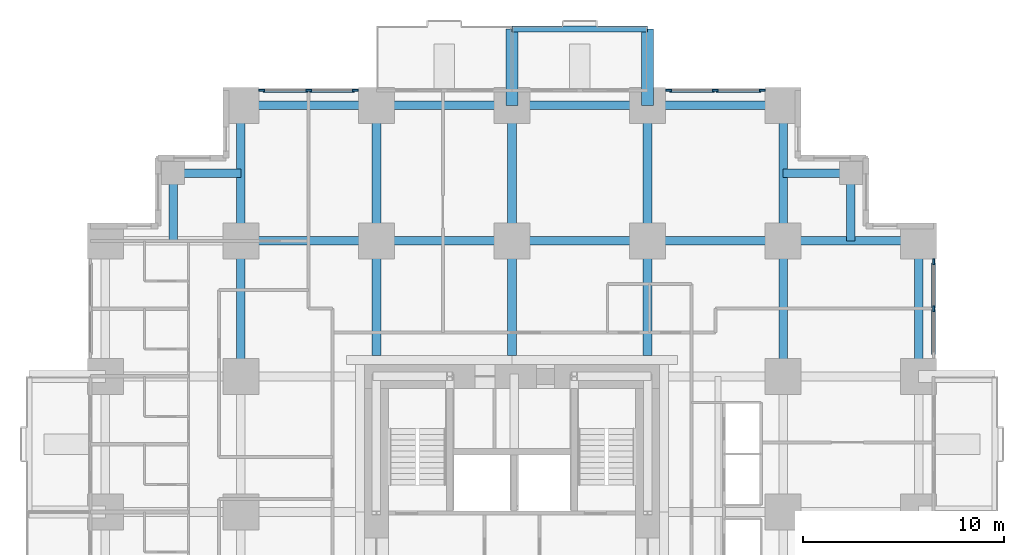
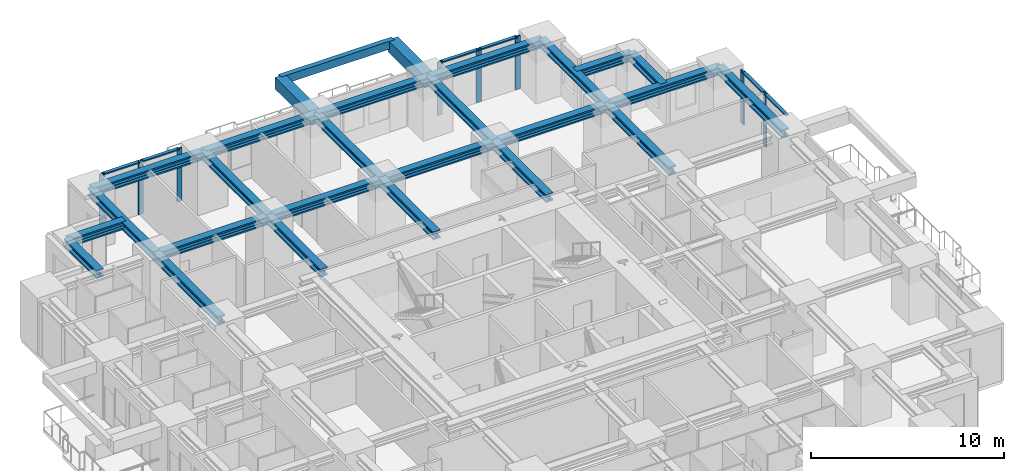
# One storey, part 4 of 13: 27 beams, 14 members, 3 elements without a shape of their own.
"""IFC4 building model written with IfcOpenShell, lengths in metres."""

import ifcopenshell
import ifcopenshell.guid

model = None  # the IFC model being written
_history = None  # IfcOwnerHistory: only IFC2X3 demands one
_inside = {}  # id of a spatial element -> (the spatial element, [elements in it])
_under = {}  # id of a project, library or spatial element -> (it, [spatial elements below it])
_declared = {}  # id of a project -> (the project, [libraries it declares])
_typed = {}  # id of a type object -> (the type object, [elements of that type])
_made_of = {}  # id of a material, layer set ... -> (it, [elements and type objects made of it])


def new_model(schema):
    """Start an empty IFC model of exactly this schema.

    Asked for "IFC4X3", IfcOpenShell would pick the latest addendum, in which some entities
    have other attributes; the version numbers below select the first issue.
    IFC2X3 requires an IfcOwnerHistory on every rooted entity: one is made here for all.
    """
    global model, _history
    if schema == "IFC4X3":
        model = ifcopenshell.file(schema_version=(4, 3, 0, 0))
    else:
        model = ifcopenshell.file(schema=schema)
    _inside.clear()
    _under.clear()
    _declared.clear()
    _typed.clear()
    _made_of.clear()
    _history = None
    if model.schema == "IFC2X3":
        org = make("IfcOrganization", Name="unknown")
        user = make(
            "IfcPersonAndOrganization",
            ThePerson=make("IfcPerson", FamilyName="unknown"),
            TheOrganization=org,
        )
        app = make(
            "IfcApplication",
            ApplicationDeveloper=org,
            Version="unknown",
            ApplicationFullName="unknown",
            ApplicationIdentifier="unknown",
        )
        _history = make(
            "IfcOwnerHistory",
            OwningUser=user,
            OwningApplication=app,
            ChangeAction="ADDED",
            CreationDate=0,
        )
    return model


def make(cls, **values):
    """One entity of the class cls with the attributes given. An attribute that is None is left unset."""
    return model.create_entity(
        cls, **{name: value for name, value in values.items() if value is not None}
    )


def rooted(cls, **values):
    """An entity with a GlobalId (a new one), such as an element, a storey or a relation."""
    return make(cls, GlobalId=ifcopenshell.guid.new(), OwnerHistory=_history, **values)


def si_unit(unit_type, name, prefix=None):
    """IfcSIUnit, for example si_unit("LENGTHUNIT", "METRE", prefix="MILLI")."""
    return make("IfcSIUnit", UnitType=unit_type, Prefix=prefix, Name=name)


def assignment(units):
    """IfcUnitAssignment: the units of a project."""
    return None if units is None else make("IfcUnitAssignment", Units=units)


def point(xyz):
    """IfcCartesianPoint."""
    return None if xyz is None else make("IfcCartesianPoint", Coordinates=xyz)


def direction(xyz):
    """IfcDirection."""
    return None if xyz is None else make("IfcDirection", DirectionRatios=xyz)


def frame(location, z_axis=None, x_axis=None):
    """IfcAxis2Placement3D, a coordinate frame: its origin and axes. An axis left out is left unset."""
    return make(
        "IfcAxis2Placement3D",
        Location=point(location),
        Axis=direction(z_axis),
        RefDirection=direction(x_axis),
    )


def frame_2d(location, x_axis=None):
    """IfcAxis2Placement2D, a coordinate frame in the plane: its origin and x axis."""
    return make(
        "IfcAxis2Placement2D", Location=point(location), RefDirection=direction(x_axis)
    )


def origin():
    """The frame at (0, 0, 0) with its axes left unset."""
    return frame((0.0, 0.0, 0.0))


def origin_2d():
    """The frame at (0, 0) in the plane with its x axis left unset."""
    return frame_2d((0.0, 0.0))


def place(relative_to, where):
    """IfcLocalPlacement: puts the frame where relative to a parent placement (None: the world)."""
    return make(
        "IfcLocalPlacement", PlacementRelTo=relative_to, RelativePlacement=where
    )


def context(
    kind, dimensions, precision=None, world=None, true_north=None, identifier=None
):
    """IfcGeometricRepresentationContext, for example the 3D "Model" context."""
    return make(
        "IfcGeometricRepresentationContext",
        ContextIdentifier=identifier,
        ContextType=kind,
        CoordinateSpaceDimension=dimensions,
        Precision=precision,
        WorldCoordinateSystem=world,
        TrueNorth=true_north,
    )


def subcontext(parent, identifier, kind, view, scale=None):
    """IfcGeometricRepresentationSubContext, for example "Body" below "Model"."""
    return make(
        "IfcGeometricRepresentationSubContext",
        ContextIdentifier=identifier,
        ContextType=kind,
        ParentContext=parent,
        TargetScale=scale,
        TargetView=view,
    )


def project(units=None, contexts=None):
    """IfcProject with its units and contexts."""
    return rooted(
        "IfcProject",
        Name="project",
        RepresentationContexts=contexts,
        UnitsInContext=assignment(units),
    )


def spatial(cls, under=None, at=None, **own):
    """A site, building, storey or space (cls), placed at a placement, below another one or the project."""
    s = rooted(cls, ObjectPlacement=at, **own)
    if under is not None:
        _under.setdefault(under.id(), (under, []))[1].append(s)
    return s


def profile(cls, at=None, kind="AREA", **sizes):
    """A parametric profile (cls). Its sizes go by their IFC names, for example OverallWidth=200.0."""
    return make(cls, ProfileType=kind, Position=at, **sizes)


def rectangle(**sizes):
    """IfcRectangleProfileDef."""
    return profile("IfcRectangleProfileDef", **sizes)


def i_section(**sizes):
    """IfcIShapeProfileDef."""
    return profile("IfcIShapeProfileDef", **sizes)


def extrude(swept, where, along, depth):
    """IfcExtrudedAreaSolid: the profile swept, set in the frame where, extruded along a direction by depth."""
    return make(
        "IfcExtrudedAreaSolid",
        SweptArea=swept,
        Position=where,
        ExtrudedDirection=direction(along),
        Depth=depth,
    )


def shape(context_of_items, identifier, shape_type, items):
    """IfcShapeRepresentation: the items that make up one representation, for example the "Body"."""
    return make(
        "IfcShapeRepresentation",
        ContextOfItems=context_of_items,
        RepresentationIdentifier=identifier,
        RepresentationType=shape_type,
        Items=items,
    )


def material(Name=None, Category=None):
    """IfcMaterial."""
    return make("IfcMaterial", Name=Name, Category=Category)


def material_profile(
    of_material, cross_section, Name=None, Category=None, Priority=None
):
    """IfcMaterialProfile: a cross section and its material."""
    return make(
        "IfcMaterialProfile",
        Name=Name,
        Material=of_material,
        Profile=cross_section,
        Priority=Priority,
        Category=Category,
    )


def profile_set(profiles, Name=None, composite=None):
    """IfcMaterialProfileSet."""
    return make(
        "IfcMaterialProfileSet",
        Name=Name,
        MaterialProfiles=profiles,
        CompositeProfile=composite,
    )


def made_of(thing, what):
    """Note that an element or type object is made of a material, layer set ...; save() writes the relation."""
    if what is not None:
        _made_of.setdefault(what.id(), (what, []))[1].append(thing)
    return thing


def type_object(cls, material=None, **own):
    """A type object (cls), such as IfcWallType, which elements share."""
    return made_of(rooted(cls, **own), material)


def element(
    cls,
    number,
    at=None,
    inside=None,
    cuts=None,
    type_object=None,
    material=None,
    context=None,
    identifier="Body",
    shape_type=None,
    held_by="IfcProductDefinitionShape",
    body=None,
    shapes=None,
    **own,
):
    """One element of the class cls, such as IfcWall. Its Tag is "e" and its number.

    at: its placement. inside: the storey or other place that contains it. cuts: it is an
    opening in that element (IfcRelVoidsElement). A single representation is given by context,
    identifier, shape_type and body (its items); several are given by shapes. held_by: the class
    of the entity that holds the representations. save() writes the other relations.
    """
    e = rooted(cls, Tag="e%d" % number, ObjectPlacement=at, **own)
    if body is not None:
        shapes = [shape(context, identifier, shape_type, body)]
    if shapes is not None:
        e.Representation = make(held_by, Representations=shapes)
    if inside is not None:
        _inside.setdefault(inside.id(), (inside, []))[1].append(e)
    if cuts is not None:
        rooted(
            "IfcRelVoidsElement", RelatingBuildingElement=cuts, RelatedOpeningElement=e
        )
    if type_object is not None:
        _typed.setdefault(type_object.id(), (type_object, []))[1].append(e)
    return made_of(e, material)


def aggregate(whole, parts):
    """IfcRelAggregates: a whole, such as a stair, and the parts it consists of."""
    return rooted("IfcRelAggregates", RelatingObject=whole, RelatedObjects=parts)


def save(model, path):
    """Write the relations noted so far, then the file.

    IfcRelAggregates (storeys below a building ...), IfcRelContainedInSpatialStructure (elements
    in a storey), IfcRelDefinesByType, IfcRelAssociatesMaterial and IfcRelDeclares: one each for
    every whole, place, type object, material and project.
    """
    for whole, parts in _under.values():
        aggregate(whole, parts)
    for where, things in _inside.values():
        rooted(
            "IfcRelContainedInSpatialStructure",
            RelatedElements=things,
            RelatingStructure=where,
        )
    for kind, things in _typed.values():
        rooted("IfcRelDefinesByType", RelatedObjects=things, RelatingType=kind)
    for what, things in _made_of.values():
        rooted("IfcRelAssociatesMaterial", RelatedObjects=things, RelatingMaterial=what)
    for by, libraries in _declared.values():
        rooted("IfcRelDeclares", RelatingContext=by, RelatedDefinitions=libraries)
    model.write(path)


model = new_model("IFC4")

# Units and contexts
model_context = context("Model", 3, precision=1e-05, world=origin(), true_north=direction((0.0, 1.0)))
body_context = subcontext(model_context, "Body", "Model", "MODEL_VIEW")
ifc_project = project(units=[si_unit("LENGTHUNIT", "METRE"), si_unit("AREAUNIT", "SQUARE_METRE"), si_unit("VOLUMEUNIT", "CUBIC_METRE"), si_unit("PLANEANGLEUNIT", "RADIAN"), si_unit("MASSUNIT", "GRAM", prefix="KILO")], contexts=[model_context])

# Site, building, storey
site_placement = place(None, origin())
site = spatial("IfcSite", under=ifc_project, at=site_placement, CompositionType="ELEMENT")
building_placement = place(site_placement, origin())
building = spatial("IfcBuilding", under=site, at=building_placement, Name="Nyansa Garden Tower", CompositionType="ELEMENT")
storey_placement = place(building_placement, frame((0.0, 0.0, 46.800048828125)))
storey = spatial("IfcBuildingStorey", under=building, at=storey_placement, Name="L12", CompositionType="ELEMENT", Elevation=46.800048828125)

# Beams
ifc_material_1 = material(Name="Concrete C70/85", Category="concrete")
ifc_material_profile_1 = material_profile(ifc_material_1, rectangle(XDim=0.60009765625, YDim=0.75, at=origin_2d()), Name="RC 600x750")
ifc_profile_set_1 = profile_set([ifc_material_profile_1], Name="Concrete C70/85")
beam_type_1 = type_object("IfcBeamType", Name="Balcony cantilever beam CB1 RC 600x750", PredefinedType="BEAM", material=ifc_profile_set_1)
for number, where, z_axis, x_axis, name in (
    (1, (20.25, 40.5, 2.98486328125), (0.0, 1.0, 0.0), (-1.0, 0.0, 0.0), "Balcony cantilever beam L13"),
    (2, (27.0, 40.5, 2.98486328125), (0.0, 1.0, 0.0), (-1.0, 0.0, 0.0), "Balcony cantilever beam L13"),
):
    element("IfcBeam", number, at=place(storey_placement, frame(where, z_axis=z_axis, x_axis=x_axis)), inside=storey, type_object=beam_type_1, Name=name, PredefinedType="BEAM", context=body_context, shape_type="SweptSolid", body=[
        extrude(rectangle(XDim=0.60009765625, YDim=0.75, at=origin_2d()), origin(), (0.0, 0.0, 1.0), 3.800048828125),
    ])
ifc_material_2 = material(Name="Concrete C70/85", Category="concrete")
ifc_material_profile_2 = material_profile(ifc_material_2, rectangle(XDim=0.300048828125, YDim=0.5, at=origin_2d()), Name="RC 300x500")
ifc_profile_set_2 = profile_set([ifc_material_profile_2], Name="Concrete C70/85")
beam_type_2 = type_object("IfcBeamType", Name="Balcony edge beam BE1 RC 300x500", PredefinedType="BEAM", material=ifc_profile_set_2)
beam_1_placement = place(storey_placement, frame((20.25, 44.300048828125, 3.10986328125), z_axis=(1.0, 0.0, 0.0), x_axis=(0.0, 1.0, 0.0)))
element("IfcBeam", 3, at=beam_1_placement, inside=storey, type_object=beam_type_2, Name="Balcony edge beam L13", PredefinedType="BEAM", context=body_context, shape_type="SweptSolid", body=[
    extrude(rectangle(XDim=0.300048828125, YDim=0.5, at=origin_2d()), origin(), (0.0, 0.0, 1.0), 6.75),
])

# Curtain wall, members
ifc_material_3 = material(Name="Black anodised aluminium, dark tinted double glazing", Category="aluminium")
curtain_wall_type = type_object("IfcCurtainWallType", Name="Sky lounge curtain wall SLW", PredefinedType="USERDEFINED", material=ifc_material_3)
curtain_wall_1_placement = place(storey_placement, origin())
curtain_wall_1 = element("IfcCurtainWall", 4, at=curtain_wall_1_placement, inside=storey, type_object=curtain_wall_type, Name="Inner skin curtain wall L12 E", ObjectType="UNITISED CURTAIN WALL", PredefinedType="USERDEFINED")
ifc_material_4 = material(Name="Black anodised aluminium", Category="aluminium")
ifc_material_profile_3 = material_profile(ifc_material_4, rectangle(XDim=0.080078125, YDim=0.300048828125, at=origin_2d()), Name="Mullion 300x80")
ifc_profile_set_3 = profile_set([ifc_material_profile_3], Name="Black anodised aluminium")
member_type_1 = type_object("IfcMemberType", Name="Mullion SLW 300x80", PredefinedType="MULLION", material=ifc_profile_set_3)
member_1_placement = place(storey_placement, frame((41.25, 30.375, 0.0), z_axis=(0.0, 0.0, 1.0), x_axis=(-1.0, 0.0, 0.0)))
member_1 = element("IfcMember", 5, at=member_1_placement, type_object=member_type_1, Name="SLW mullion 2", PredefinedType="MULLION", context=body_context, shape_type="SweptSolid", body=[
    extrude(rectangle(XDim=0.080078125, YDim=0.300048828125, at=origin_2d()), origin(), (0.0, 0.0, 1.0), 3.375),
])
member_2_placement = place(storey_placement, frame((41.25, 32.699951171875, 0.0), z_axis=(0.0, 0.0, 1.0), x_axis=(-1.0, 0.0, 0.0)))
member_2 = element("IfcMember", 6, at=member_2_placement, type_object=member_type_1, Name="SLW mullion 3", PredefinedType="MULLION", context=body_context, shape_type="SweptSolid", body=[
    extrude(rectangle(XDim=0.080078125, YDim=0.300048828125, at=origin_2d()), origin(), (0.0, 0.0, 1.0), 3.375),
])

curtain_wall_2_placement = place(storey_placement, origin())
curtain_wall_2 = element("IfcCurtainWall", 7, at=curtain_wall_2_placement, inside=storey, type_object=curtain_wall_type, Name="Inner skin curtain wall L12 N", ObjectType="UNITISED CURTAIN WALL", PredefinedType="USERDEFINED")
member_3_placement = place(storey_placement, frame((12.449951171875, 41.25, 0.0), z_axis=(0.0, 0.0, 1.0), x_axis=(0.0, -1.0, 0.0)))
member_3 = element("IfcMember", 8, at=member_3_placement, type_object=member_type_1, Name="SLW mullion 1", PredefinedType="MULLION", context=body_context, shape_type="SweptSolid", body=[
    extrude(rectangle(XDim=0.080078125, YDim=0.300048828125, at=origin_2d()), origin(), (0.0, 0.0, 1.0), 3.375),
])
member_4_placement = place(storey_placement, frame((10.125, 41.25, 0.0), z_axis=(0.0, 0.0, 1.0), x_axis=(0.0, -1.0, 0.0)))
member_4 = element("IfcMember", 9, at=member_4_placement, type_object=member_type_1, Name="SLW mullion 2", PredefinedType="MULLION", context=body_context, shape_type="SweptSolid", body=[
    extrude(rectangle(XDim=0.080078125, YDim=0.300048828125, at=origin_2d()), origin(), (0.0, 0.0, 1.0), 3.375),
])
member_5_placement = place(storey_placement, frame((7.800048828125, 41.25, 0.0), z_axis=(0.0, 0.0, 1.0), x_axis=(0.0, -1.0, 0.0)))
member_5 = element("IfcMember", 10, at=member_5_placement, type_object=member_type_1, Name="SLW mullion 3", PredefinedType="MULLION", context=body_context, shape_type="SweptSolid", body=[
    extrude(rectangle(XDim=0.080078125, YDim=0.300048828125, at=origin_2d()), origin(), (0.0, 0.0, 1.0), 3.375),
])

curtain_wall_3_placement = place(storey_placement, origin())
curtain_wall_3 = element("IfcCurtainWall", 11, at=curtain_wall_3_placement, inside=storey, type_object=curtain_wall_type, Name="Inner skin curtain wall L12 N", ObjectType="UNITISED CURTAIN WALL", PredefinedType="USERDEFINED")
member_6_placement = place(storey_placement, frame((32.699951171875, 41.25, 0.0), z_axis=(0.0, 0.0, 1.0), x_axis=(0.0, -1.0, 0.0)))
member_6 = element("IfcMember", 12, at=member_6_placement, type_object=member_type_1, Name="SLW mullion 1", PredefinedType="MULLION", context=body_context, shape_type="SweptSolid", body=[
    extrude(rectangle(XDim=0.080078125, YDim=0.300048828125, at=origin_2d()), origin(), (0.0, 0.0, 1.0), 3.375),
])
member_7_placement = place(storey_placement, frame((30.375, 41.25, 0.0), z_axis=(0.0, 0.0, 1.0), x_axis=(0.0, -1.0, 0.0)))
member_7 = element("IfcMember", 13, at=member_7_placement, type_object=member_type_1, Name="SLW mullion 2", PredefinedType="MULLION", context=body_context, shape_type="SweptSolid", body=[
    extrude(rectangle(XDim=0.080078125, YDim=0.300048828125, at=origin_2d()), origin(), (0.0, 0.0, 1.0), 3.375),
])
member_8_placement = place(storey_placement, frame((28.050048828125, 41.25, 0.0), z_axis=(0.0, 0.0, 1.0), x_axis=(0.0, -1.0, 0.0)))
member_8 = element("IfcMember", 14, at=member_8_placement, type_object=member_type_1, Name="SLW mullion 3", PredefinedType="MULLION", context=body_context, shape_type="SweptSolid", body=[
    extrude(rectangle(XDim=0.080078125, YDim=0.300048828125, at=origin_2d()), origin(), (0.0, 0.0, 1.0), 3.375),
])

# Beams
ifc_material_5 = material(Name="Steel S355", Category="steel")
ifc_material_profile_4 = material_profile(ifc_material_5, i_section(OverallWidth=0.431884765625, OverallDepth=0.498046875, WebThickness=0.0556640625, FlangeThickness=0.0888671875, FilletRadius=0.014892578125, at=origin_2d()), Name="HD 400x744")
ifc_profile_set_4 = profile_set([ifc_material_profile_4], Name="Steel S355")
beam_type_3 = type_object("IfcBeamType", Name="Steel beam SBA1-744 HD 400x744", PredefinedType="BEAM", material=ifc_profile_set_4)
for number, where, z_axis, x_axis, name in (
    (15, (6.75, 27.0, 3.1259765625), (0.0, 1.0, 0.0), (-1.0, 0.0, 0.0), "Steel beam 3/H-3/J L13"),
    (16, (6.75, 33.75, 3.1259765625), (0.0, 1.0, 0.0), (-1.0, 0.0, 0.0), "Steel beam 3/J-3/K L13"),
    (17, (6.75, 33.75, 3.1259765625), (1.0, 0.0, 0.0), (0.0, 1.0, 0.0), "Steel beam 3/J-4/J L13"),
):
    element("IfcBeam", number, at=place(storey_placement, frame(where, z_axis=z_axis, x_axis=x_axis)), inside=storey, type_object=beam_type_3, Name=name, PredefinedType="BEAM", context=body_context, shape_type="SweptSolid", body=[
        extrude(i_section(OverallWidth=0.431884765625, OverallDepth=0.498046875, WebThickness=0.0556640625, FlangeThickness=0.0888671875, FilletRadius=0.014892578125, at=origin_2d()), origin(), (0.0, 0.0, 1.0), 6.75),
    ])
beam_2_placement = place(storey_placement, frame((13.5, 28.050048828125, 3.1259765625), z_axis=(0.0, 1.0, 0.0), x_axis=(-1.0, 0.0, 0.0)))
element("IfcBeam", 18, at=beam_2_placement, inside=storey, type_object=beam_type_3, Name="Steel beam 4/28.050-4/J L13", PredefinedType="BEAM", context=body_context, shape_type="SweptSolid", body=[
    extrude(i_section(OverallWidth=0.431884765625, OverallDepth=0.498046875, WebThickness=0.0556640625, FlangeThickness=0.0888671875, FilletRadius=0.014892578125, at=origin_2d()), origin(), (0.0, 0.0, 1.0), 5.699951171875),
])
for number, where, z_axis, x_axis, name in (
    (19, (13.5, 33.75, 3.1259765625), (0.0, 1.0, 0.0), (-1.0, 0.0, 0.0), "Steel beam 4/J-4/K L13"),
    (20, (13.5, 33.75, 3.1259765625), (1.0, 0.0, 0.0), (0.0, 1.0, 0.0), "Steel beam 4/J-5/J L13"),
):
    element("IfcBeam", number, at=place(storey_placement, frame(where, z_axis=z_axis, x_axis=x_axis)), inside=storey, type_object=beam_type_3, Name=name, PredefinedType="BEAM", context=body_context, shape_type="SweptSolid", body=[
        extrude(i_section(OverallWidth=0.431884765625, OverallDepth=0.498046875, WebThickness=0.0556640625, FlangeThickness=0.0888671875, FilletRadius=0.014892578125, at=origin_2d()), origin(), (0.0, 0.0, 1.0), 6.75),
    ])
beam_3_placement = place(storey_placement, frame((20.25, 28.050048828125, 3.1259765625), z_axis=(0.0, 1.0, 0.0), x_axis=(-1.0, 0.0, 0.0)))
element("IfcBeam", 21, at=beam_3_placement, inside=storey, type_object=beam_type_3, Name="Steel beam 5/28.050-5/J L13", PredefinedType="BEAM", context=body_context, shape_type="SweptSolid", body=[
    extrude(i_section(OverallWidth=0.431884765625, OverallDepth=0.498046875, WebThickness=0.0556640625, FlangeThickness=0.0888671875, FilletRadius=0.014892578125, at=origin_2d()), origin(), (0.0, 0.0, 1.0), 5.699951171875),
])
for number, where, z_axis, x_axis, name in (
    (22, (20.25, 33.75, 3.1259765625), (0.0, 1.0, 0.0), (-1.0, 0.0, 0.0), "Steel beam 5/J-5/K L13"),
    (23, (20.25, 33.75, 3.1259765625), (1.0, 0.0, 0.0), (0.0, 1.0, 0.0), "Steel beam 5/J-6/J L13"),
):
    element("IfcBeam", number, at=place(storey_placement, frame(where, z_axis=z_axis, x_axis=x_axis)), inside=storey, type_object=beam_type_3, Name=name, PredefinedType="BEAM", context=body_context, shape_type="SweptSolid", body=[
        extrude(i_section(OverallWidth=0.431884765625, OverallDepth=0.498046875, WebThickness=0.0556640625, FlangeThickness=0.0888671875, FilletRadius=0.014892578125, at=origin_2d()), origin(), (0.0, 0.0, 1.0), 6.75),
    ])
beam_4_placement = place(storey_placement, frame((27.0, 28.050048828125, 3.1259765625), z_axis=(0.0, 1.0, 0.0), x_axis=(-1.0, 0.0, 0.0)))
element("IfcBeam", 24, at=beam_4_placement, inside=storey, type_object=beam_type_3, Name="Steel beam 6/28.050-6/J L13", PredefinedType="BEAM", context=body_context, shape_type="SweptSolid", body=[
    extrude(i_section(OverallWidth=0.431884765625, OverallDepth=0.498046875, WebThickness=0.0556640625, FlangeThickness=0.0888671875, FilletRadius=0.014892578125, at=origin_2d()), origin(), (0.0, 0.0, 1.0), 5.699951171875),
])
for number, where, z_axis, x_axis, name in (
    (25, (27.0, 33.75, 3.1259765625), (0.0, 1.0, 0.0), (-1.0, 0.0, 0.0), "Steel beam 6/J-6/K L13"),
    (26, (27.0, 33.75, 3.1259765625), (1.0, 0.0, 0.0), (0.0, 1.0, 0.0), "Steel beam 6/J-7/J L13"),
    (27, (33.75, 27.0, 3.1259765625), (0.0, 1.0, 0.0), (-1.0, 0.0, 0.0), "Steel beam 7/H-7/J L13"),
    (28, (33.75, 33.75, 3.1259765625), (0.0, 1.0, 0.0), (-1.0, 0.0, 0.0), "Steel beam 7/J-7/K L13"),
    (29, (33.75, 33.75, 3.1259765625), (1.0, 0.0, 0.0), (0.0, 1.0, 0.0), "Steel beam 7/J-8/J L13"),
):
    element("IfcBeam", number, at=place(storey_placement, frame(where, z_axis=z_axis, x_axis=x_axis)), inside=storey, type_object=beam_type_3, Name=name, PredefinedType="BEAM", context=body_context, shape_type="SweptSolid", body=[
        extrude(i_section(OverallWidth=0.431884765625, OverallDepth=0.498046875, WebThickness=0.0556640625, FlangeThickness=0.0888671875, FilletRadius=0.014892578125, at=origin_2d()), origin(), (0.0, 0.0, 1.0), 6.75),
    ])
ifc_material_6 = material(Name="Steel S355", Category="steel")
ifc_material_profile_5 = material_profile(ifc_material_6, i_section(OverallWidth=0.431884765625, OverallDepth=0.498046875, WebThickness=0.0556640625, FlangeThickness=0.0888671875, FilletRadius=0.014892578125, at=origin_2d()), Name="HD 400x744")
ifc_profile_set_5 = profile_set([ifc_material_profile_5], Name="Steel S355")
beam_type_4 = type_object("IfcBeamType", Name="Steel beam SEBA-744 HD 400x744", PredefinedType="BEAM", material=ifc_profile_set_5)
for number, where, z_axis, x_axis, name in (
    (30, (6.75, 40.5, 3.1259765625), (1.0, 0.0, 0.0), (0.0, 1.0, 0.0), "Steel edge beam 3/K-4/K L13"),
    (31, (13.5, 40.5, 3.1259765625), (1.0, 0.0, 0.0), (0.0, 1.0, 0.0), "Steel edge beam 4/K-5/K L13"),
    (32, (20.25, 40.5, 3.1259765625), (1.0, 0.0, 0.0), (0.0, 1.0, 0.0), "Steel edge beam 5/K-6/K L13"),
    (33, (27.0, 40.5, 3.1259765625), (1.0, 0.0, 0.0), (0.0, 1.0, 0.0), "Steel edge beam 6/K-7/K L13"),
    (34, (40.5, 27.0, 3.1259765625), (0.0, 1.0, 0.0), (-1.0, 0.0, 0.0), "Steel edge beam 8/H-8/J L13"),
):
    element("IfcBeam", number, at=place(storey_placement, frame(where, z_axis=z_axis, x_axis=x_axis)), inside=storey, type_object=beam_type_4, Name=name, PredefinedType="BEAM", context=body_context, shape_type="SweptSolid", body=[
        extrude(i_section(OverallWidth=0.431884765625, OverallDepth=0.498046875, WebThickness=0.0556640625, FlangeThickness=0.0888671875, FilletRadius=0.014892578125, at=origin_2d()), origin(), (0.0, 0.0, 1.0), 6.75),
    ])
ifc_material_7 = material(Name="Steel S355", Category="steel")
ifc_material_profile_6 = material_profile(ifc_material_7, i_section(OverallWidth=0.431884765625, OverallDepth=0.498046875, WebThickness=0.0556640625, FlangeThickness=0.0888671875, FilletRadius=0.014892578125, at=origin_2d()), Name="HD 400x744")
ifc_profile_set_6 = profile_set([ifc_material_profile_6], Name="Steel S355")
beam_type_5 = type_object("IfcBeamType", Name="Steel beam SSB1-744 HD 400x744", PredefinedType="BEAM", material=ifc_profile_set_6)
for number, where, z_axis, x_axis, name in (
    (35, (37.125, 37.125, 3.1259765625), (0.0, -1.0, 0.0), (1.0, 0.0, 0.0), "Steel step beam 37.125/37.125 L13"),
    (36, (37.125, 37.125, 3.1259765625), (-1.0, 0.0, 0.0), (0.0, -1.0, 0.0), "Steel step beam 37.125/37.125 L13"),
    (37, (3.375, 37.125, 3.1259765625), (0.0, -1.0, 0.0), (1.0, 0.0, 0.0), "Steel step beam 3.375/37.125 L13"),
    (38, (3.375, 37.125, 3.1259765625), (1.0, 0.0, 0.0), (0.0, 1.0, 0.0), "Steel step beam 3.375/37.125 L13"),
):
    element("IfcBeam", number, at=place(storey_placement, frame(where, z_axis=z_axis, x_axis=x_axis)), inside=storey, type_object=beam_type_5, Name=name, PredefinedType="BEAM", context=body_context, shape_type="SweptSolid", body=[
        extrude(i_section(OverallWidth=0.431884765625, OverallDepth=0.498046875, WebThickness=0.0556640625, FlangeThickness=0.0888671875, FilletRadius=0.014892578125, at=origin_2d()), origin(), (0.0, 0.0, 1.0), 3.375),
    ])

# Member
ifc_material_8 = material(Name="Black anodised aluminium", Category="aluminium")
ifc_material_profile_7 = material_profile(ifc_material_8, rectangle(XDim=0.199951171875, YDim=0.080078125, at=origin_2d()), Name="Transom 200x80")
ifc_profile_set_7 = profile_set([ifc_material_profile_7], Name="Black anodised aluminium")
member_type_2 = type_object("IfcMemberType", Name="Transom SLW 200x80", PredefinedType="USERDEFINED", material=ifc_profile_set_7)
member_9_placement = place(storey_placement, frame((41.25, 28.090087890625, 3.3349609375), z_axis=(0.0, 1.0, 0.0), x_axis=(-1.0, 0.0, 0.0)))
member_9 = element("IfcMember", 39, at=member_9_placement, type_object=member_type_2, Name="SLW transom 1", ObjectType="TRANSOM", PredefinedType="USERDEFINED", context=body_context, shape_type="SweptSolid", body=[
    extrude(rectangle(XDim=0.199951171875, YDim=0.080078125, at=origin_2d()), origin(), (0.0, 0.0, 1.0), 2.244873046875),
])

member_10_placement = place(storey_placement, frame((41.25, 30.4150390625, 3.3349609375), z_axis=(0.0, 1.0, 0.0), x_axis=(-1.0, 0.0, 0.0)))
member_10 = element("IfcMember", 40, at=member_10_placement, type_object=member_type_2, Name="SLW transom 2", ObjectType="TRANSOM", PredefinedType="USERDEFINED", context=body_context, shape_type="SweptSolid", body=[
    extrude(rectangle(XDim=0.199951171875, YDim=0.080078125, at=origin_2d()), origin(), (0.0, 0.0, 1.0), 2.244873046875),
])

aggregate(curtain_wall_1, [member_1, member_2, member_9, member_10])

member_11_placement = place(storey_placement, frame((12.409912109375, 41.25, 3.3349609375), z_axis=(-1.0, 0.0, 0.0), x_axis=(0.0, -1.0, 0.0)))
member_11 = element("IfcMember", 41, at=member_11_placement, type_object=member_type_2, Name="SLW transom 1", ObjectType="TRANSOM", PredefinedType="USERDEFINED", context=body_context, shape_type="SweptSolid", body=[
    extrude(rectangle(XDim=0.199951171875, YDim=0.080078125, at=origin_2d()), origin(), (0.0, 0.0, 1.0), 2.244873046875),
])

member_12_placement = place(storey_placement, frame((10.0849609375, 41.25, 3.3349609375), z_axis=(-1.0, 0.0, 0.0), x_axis=(0.0, -1.0, 0.0)))
member_12 = element("IfcMember", 42, at=member_12_placement, type_object=member_type_2, Name="SLW transom 2", ObjectType="TRANSOM", PredefinedType="USERDEFINED", context=body_context, shape_type="SweptSolid", body=[
    extrude(rectangle(XDim=0.199951171875, YDim=0.080078125, at=origin_2d()), origin(), (0.0, 0.0, 1.0), 2.244873046875),
])

aggregate(curtain_wall_2, [member_3, member_4, member_5, member_11, member_12])

member_13_placement = place(storey_placement, frame((32.659912109375, 41.25, 3.3349609375), z_axis=(-1.0, 0.0, 0.0), x_axis=(0.0, -1.0, 0.0)))
member_13 = element("IfcMember", 43, at=member_13_placement, type_object=member_type_2, Name="SLW transom 1", ObjectType="TRANSOM", PredefinedType="USERDEFINED", context=body_context, shape_type="SweptSolid", body=[
    extrude(rectangle(XDim=0.199951171875, YDim=0.080078125, at=origin_2d()), origin(), (0.0, 0.0, 1.0), 2.244873046875),
])

member_14_placement = place(storey_placement, frame((30.3349609375, 41.25, 3.3349609375), z_axis=(-1.0, 0.0, 0.0), x_axis=(0.0, -1.0, 0.0)))
member_14 = element("IfcMember", 44, at=member_14_placement, type_object=member_type_2, Name="SLW transom 2", ObjectType="TRANSOM", PredefinedType="USERDEFINED", context=body_context, shape_type="SweptSolid", body=[
    extrude(rectangle(XDim=0.199951171875, YDim=0.080078125, at=origin_2d()), origin(), (0.0, 0.0, 1.0), 2.244873046875),
])

aggregate(curtain_wall_3, [member_6, member_7, member_8, member_13, member_14])

save(model, "model.ifc")
